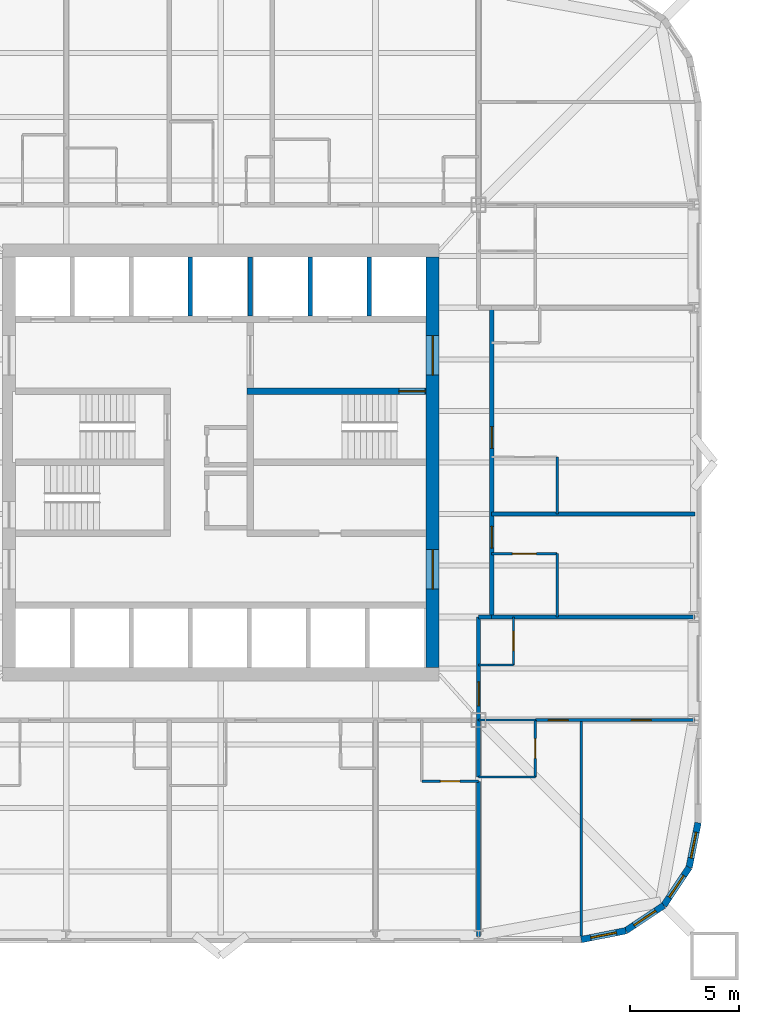
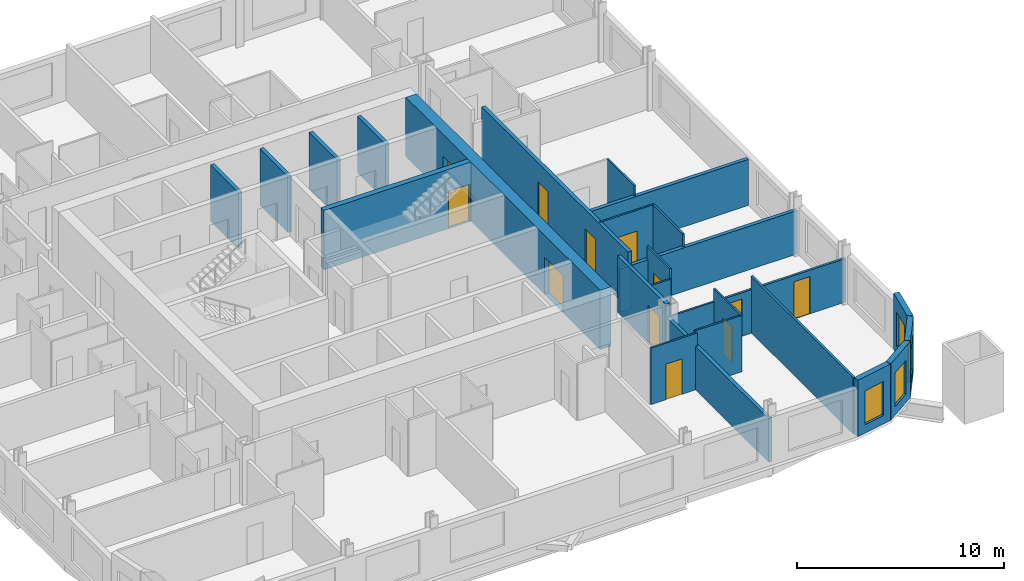
# One storey, part 5 of 9: 28 walls, 12 doors, 4 windows, 16 openings.
"""IFC4 building model written with IfcOpenShell, lengths in metres."""

from ifc_helpers import new_model, si_unit, direction, frame, frame_2d, origin, place, context, subcontext, project, spatial, rectangle, extrude, material, layer, layer_set, type_object, element, fill, save


model = new_model("IFC4")

# Units and contexts
model_context = context("Model", 3, precision=1e-05, world=origin(), true_north=direction((0.0, 1.0)))
body_context = subcontext(model_context, "Body", "Model", "MODEL_VIEW")
ifc_project = project(units=[si_unit("LENGTHUNIT", "METRE"), si_unit("AREAUNIT", "SQUARE_METRE"), si_unit("VOLUMEUNIT", "CUBIC_METRE"), si_unit("PLANEANGLEUNIT", "RADIAN"), si_unit("MASSUNIT", "GRAM", prefix="KILO")], contexts=[model_context])

# Site, building, storey
site_placement = place(None, origin())
site = spatial("IfcSite", under=ifc_project, at=site_placement, CompositionType="ELEMENT")
building_placement = place(site_placement, origin())
building = spatial("IfcBuilding", under=site, at=building_placement, Name="Turquesa Mirador Hotel Tower", CompositionType="ELEMENT")
storey_placement = place(building_placement, frame((0.0, 0.0, 56.5)))
storey = spatial("IfcBuildingStorey", under=building, at=storey_placement, Name="L14", CompositionType="ELEMENT", Elevation=56.5)

# Walls
ifc_material_1 = material(Name="Gypsum board on steel studs", Category="steel")
ifc_layer_1 = layer(ifc_material_1, 0.10009765625)
ifc_layer_set_1 = layer_set([ifc_layer_1], Name="BATHROOM WALL 100")
wall_type_1 = type_object("IfcWallType", Name="BATHROOM WALL 100", PredefinedType="PARTITIONING", material=ifc_layer_set_1)
wall_1_placement = place(storey_placement, frame((66.800048828125, 33.199951171875, 0.0), z_axis=(0.0, 0.0, 1.0), x_axis=(1.0, 0.0, 0.0)))
element("IfcWall", 1, at=wall_1_placement, inside=storey, type_object=wall_type_1, Name="Partition L14 002", PredefinedType="PARTITIONING", context=body_context, shape_type="SweptSolid", body=[
    extrude(rectangle(XDim=2.599853515625, YDim=0.10009765625, at=frame_2d((1.2998046875, 0.0))), origin(), (0.0, 0.0, 1.0), 2.572998046875),
])
wall_2_placement = place(storey_placement, frame((66.800048828125, 30.60009765625, 0.0), z_axis=(0.0, 0.0, 1.0), x_axis=(1.0, 0.0, 0.0)))
element("IfcWall", 2, at=wall_2_placement, inside=storey, type_object=wall_type_1, Name="Partition L14 008", PredefinedType="PARTITIONING", context=body_context, shape_type="SweptSolid", body=[
    extrude(rectangle(XDim=2.599853515625, YDim=0.10009765625, at=frame_2d((1.2998046875, 0.0))), origin(), (0.0, 0.0, 1.0), 3.330078125),
])

# Wall, opening, door
wall_3_placement = place(storey_placement, frame((64.199951171875, 30.39990234375, 0.0), z_axis=(0.0, 0.0, 1.0), x_axis=(1.0, 0.0, 0.0)))
wall_3 = element("IfcWall", 3, at=wall_3_placement, inside=storey, type_object=wall_type_1, Name="Partition L14 009", PredefinedType="PARTITIONING", context=body_context, shape_type="SweptSolid", body=[
    extrude(rectangle(XDim=2.60009765625, YDim=0.10009765625, at=frame_2d((1.300048828125, 0.0))), origin(), (0.0, 0.0, 1.0), 3.330078125),
])
opening_1_placement = place(wall_3_placement, frame((0.85009765625, 0.0, 0.0)))
opening_1 = element("IfcOpeningElement", 4, at=opening_1_placement, cuts=wall_3, Name="Opening D02", PredefinedType="OPENING", context=body_context, shape_type="SweptSolid", body=[
    extrude(rectangle(XDim=0.89990234375, YDim=2.10009765625, at=frame_2d((0.449951171875, 1.050048828125))), frame((0.0, 0.06005859375, 0.0), z_axis=(0.0, -1.0, 0.0), x_axis=(1.0, 0.0, 0.0)), (0.0, 0.0, 1.0), 0.1201171875),
])
ifc_material_2 = material(Name="Timber veneered door", Category="wood")
door_type_1 = type_object("IfcDoorType", Name="DOOR 900X2100 EN-SUITE", OperationType="SINGLE_SWING_RIGHT", PredefinedType="DOOR", material=ifc_material_2)
door_1_placement = place(opening_1_placement, origin())
door_1 = element("IfcDoor", 5, at=door_1_placement, inside=storey, type_object=door_type_1, Name="Door 1407B", OperationType="SINGLE_SWING_RIGHT", OverallHeight=2.10009765625, OverallWidth=0.89990234375, PredefinedType="DOOR", context=body_context, shape_type="SweptSolid", body=[
    extrude(rectangle(XDim=0.89990234375, YDim=2.10009765625, at=frame_2d((0.449951171875, 1.050048828125))), frame((0.0, 0.02490234375, 0.0), z_axis=(0.0, -1.0, 0.0), x_axis=(1.0, 0.0, 0.0)), (0.0, 0.0, 1.0), 0.050048828125),
])
fill(opening_1, door_1)

wall_4_placement = place(storey_placement, frame((67.39990234375, 40.820068359375, 0.0), z_axis=(0.0, 0.0, 1.0), x_axis=(1.0, 0.0, 0.0)))
wall_4 = element("IfcWall", 6, at=wall_4_placement, inside=storey, type_object=wall_type_1, Name="Partition L14 015", PredefinedType="PARTITIONING", context=body_context, shape_type="SweptSolid", body=[
    extrude(rectangle(XDim=3.0, YDim=0.10009765625, at=frame_2d((1.5, 0.0))), origin(), (0.0, 0.0, 1.0), 3.330078125),
])
opening_2_placement = place(wall_4_placement, frame((0.949951171875, 0.0, 0.0)))
opening_2 = element("IfcOpeningElement", 7, at=opening_2_placement, cuts=wall_4, Name="Opening D16", PredefinedType="OPENING", context=body_context, shape_type="SweptSolid", body=[
    extrude(rectangle(XDim=1.10009765625, YDim=2.10009765625, at=frame_2d((0.550048828125, 1.050048828125))), frame((0.0, 0.06005859375, 0.0), z_axis=(0.0, -1.0, 0.0), x_axis=(1.0, 0.0, 0.0)), (0.0, 0.0, 1.0), 0.1201171875),
])
ifc_material_3 = material(Name="Timber veneered sliding door", Category="wood")
door_type_2 = type_object("IfcDoorType", Name="DOOR 1100X2100 ACCESSIBLE EN-SUITE", OperationType="SLIDING_TO_LEFT", PredefinedType="DOOR", material=ifc_material_3)
door_2_placement = place(opening_2_placement, origin())
door_2 = element("IfcDoor", 8, at=door_2_placement, inside=storey, type_object=door_type_2, Name="Door 1408B", OperationType="SLIDING_TO_LEFT", OverallHeight=2.10009765625, OverallWidth=1.10009765625, PredefinedType="DOOR", context=body_context, shape_type="SweptSolid", body=[
    extrude(rectangle(XDim=1.10009765625, YDim=2.10009765625, at=frame_2d((0.550048828125, 1.050048828125))), frame((0.0, 0.02490234375, 0.0), z_axis=(0.0, -1.0, 0.0), x_axis=(1.0, 0.0, 0.0)), (0.0, 0.0, 1.0), 0.050048828125),
])
fill(opening_2, door_2)

# Wall
wall_5_placement = place(storey_placement, frame((66.800048828125, 35.719970703125, 0.0), z_axis=(0.0, 0.0, 1.0), x_axis=(1.0, 0.0, 0.0)))
element("IfcWall", 9, at=wall_5_placement, inside=storey, type_object=wall_type_1, Name="Partition L14 021", PredefinedType="PARTITIONING", context=body_context, shape_type="SweptSolid", body=[
    extrude(rectangle(XDim=1.599853515625, YDim=0.10009765625, at=frame_2d((0.7998046875, 0.0))), origin(), (0.0, 0.0, 1.0), 2.722900390625),
])

# Wall, opening, door
wall_6_placement = place(storey_placement, frame((68.39990234375, 35.719970703125, 0.0), z_axis=(0.0, 0.0, 1.0), x_axis=(0.0, 1.0, 0.0)))
wall_6 = element("IfcWall", 10, at=wall_6_placement, inside=storey, type_object=wall_type_1, Name="Partition L14 080", PredefinedType="PARTITIONING", context=body_context, shape_type="SweptSolid", body=[
    extrude(rectangle(XDim=2.199951171875, YDim=0.10009765625, at=frame_2d((1.10009765625, 0.0))), origin(), (0.0, 0.0, 1.0), 3.330078125),
])
opening_3_placement = place(wall_6_placement, frame((0.64990234375, 0.0, 0.0)))
opening_3 = element("IfcOpeningElement", 11, at=opening_3_placement, cuts=wall_6, Name="Opening D06", PredefinedType="OPENING", context=body_context, shape_type="SweptSolid", body=[
    extrude(rectangle(XDim=0.89990234375, YDim=2.10009765625, at=frame_2d((0.449951171875, 1.050048828125))), frame((0.0, 0.06005859375, 0.0), z_axis=(0.0, -1.0, 0.0), x_axis=(1.0, 0.0, 0.0)), (0.0, 0.0, 1.0), 0.1201171875),
])
ifc_material_4 = material(Name="Laminate door", Category="wood")
door_type_3 = type_object("IfcDoorType", Name="DOOR 900X2100 WC", OperationType="SINGLE_SWING_LEFT", PredefinedType="DOOR", material=ifc_material_4)
door_3_placement = place(opening_3_placement, origin())
door_3 = element("IfcDoor", 12, at=door_3_placement, inside=storey, type_object=door_type_3, Name="Door 1416W", OperationType="SINGLE_SWING_LEFT", OverallHeight=2.10009765625, OverallWidth=0.89990234375, PredefinedType="DOOR", context=body_context, shape_type="SweptSolid", body=[
    extrude(rectangle(XDim=0.89990234375, YDim=2.10009765625, at=frame_2d((0.449951171875, 1.050048828125))), frame((0.0, 0.02490234375, 0.0), z_axis=(0.0, -1.0, 0.0), x_axis=(1.0, 0.0, 0.0)), (0.0, 0.0, 1.0), 0.050048828125),
])
fill(opening_3, door_3)

wall_7_placement = place(storey_placement, frame((69.39990234375, 30.60009765625, 0.0), z_axis=(0.0, 0.0, 1.0), x_axis=(0.0, 1.0, 0.0)))
wall_7 = element("IfcWall", 13, at=wall_7_placement, inside=storey, type_object=wall_type_1, Name="Partition L14 081", PredefinedType="PARTITIONING", context=body_context, shape_type="SweptSolid", body=[
    extrude(rectangle(XDim=2.599853515625, YDim=0.10009765625, at=frame_2d((1.2998046875, 0.0))), origin(), (0.0, 0.0, 1.0), 3.330078125),
])
opening_4_placement = place(wall_7_placement, frame((0.85009765625, 0.0, 0.0)))
opening_4 = element("IfcOpeningElement", 14, at=opening_4_placement, cuts=wall_7, Name="Opening D02", PredefinedType="OPENING", context=body_context, shape_type="SweptSolid", body=[
    extrude(rectangle(XDim=0.89990234375, YDim=2.10009765625, at=frame_2d((0.449951171875, 1.050048828125))), frame((0.0, 0.06005859375, 0.0), z_axis=(0.0, -1.0, 0.0), x_axis=(1.0, 0.0, 0.0)), (0.0, 0.0, 1.0), 0.1201171875),
])
door_4_placement = place(opening_4_placement, origin())
door_4 = element("IfcDoor", 15, at=door_4_placement, inside=storey, type_object=door_type_1, Name="Door 1416B", OperationType="SINGLE_SWING_RIGHT", OverallHeight=2.10009765625, OverallWidth=0.89990234375, PredefinedType="DOOR", context=body_context, shape_type="SweptSolid", body=[
    extrude(rectangle(XDim=0.89990234375, YDim=2.10009765625, at=frame_2d((0.449951171875, 1.050048828125))), frame((0.0, 0.02490234375, 0.0), z_axis=(0.0, -1.0, 0.0), x_axis=(1.0, 0.0, 0.0)), (0.0, 0.0, 1.0), 0.050048828125),
])
fill(opening_4, door_4)

# Walls
wall_8_placement = place(storey_placement, frame((70.39990234375, 37.919921875, 0.0), z_axis=(0.0, 0.0, 1.0), x_axis=(0.0, 1.0, 0.0)))
element("IfcWall", 16, at=wall_8_placement, inside=storey, type_object=wall_type_1, Name="Partition L14 085", PredefinedType="PARTITIONING", context=body_context, shape_type="SweptSolid", body=[
    extrude(rectangle(XDim=2.900146484375, YDim=0.10009765625, at=frame_2d((1.4501953125, 0.0))), origin(), (0.0, 0.0, 1.0), 3.330078125),
])
wall_9_placement = place(storey_placement, frame((70.39990234375, 42.639892578125, 0.0), z_axis=(0.0, 0.0, 1.0), x_axis=(0.0, 1.0, 0.0)))
element("IfcWall", 17, at=wall_9_placement, inside=storey, type_object=wall_type_1, Name="Partition L14 086", PredefinedType="PARTITIONING", context=body_context, shape_type="SweptSolid", body=[
    extrude(rectangle(XDim=2.60009765625, YDim=0.10009765625, at=frame_2d((1.300048828125, 0.0))), origin(), (0.0, 0.0, 1.0), 3.330078125),
])

# Wall, opening, door
ifc_material_5 = material(Name="Concrete C50/60", Category="concrete")
ifc_layer_2 = layer(ifc_material_5, 0.300048828125)
ifc_layer_set_2 = layer_set([ifc_layer_2], Name="CORE INNER WALL 300")
wall_type_2 = type_object("IfcWallType", Name="CORE INNER WALL 300", PredefinedType="SHEAR", material=ifc_layer_set_2)
wall_10_placement = place(storey_placement, frame((56.199951171875, 48.25, 0.0), z_axis=(0.0, 0.0, 1.0), x_axis=(1.0, 0.0, 0.0)))
wall_10 = element("IfcWall", 18, at=wall_10_placement, inside=storey, type_object=wall_type_2, Name="Core wall MN-E", PredefinedType="SHEAR", context=body_context, shape_type="SweptSolid", body=[
    extrude(rectangle(XDim=8.199951171875, YDim=0.300048828125, at=frame_2d((4.10009765625, 0.0))), origin(), (0.0, 0.0, 1.0), 3.5),
])
opening_5_placement = place(wall_10_placement, frame((6.949951171875, 0.0, 0.0)))
opening_5 = element("IfcOpeningElement", 19, at=opening_5_placement, cuts=wall_10, Name="Opening D03", PredefinedType="OPENING", context=body_context, shape_type="SweptSolid", body=[
    extrude(rectangle(XDim=1.199951171875, YDim=2.199951171875, at=frame_2d((0.60009765625, 1.10009765625))), frame((0.0, 0.159912109375, 0.0), z_axis=(0.0, -1.0, 0.0), x_axis=(1.0, 0.0, 0.0)), (0.0, 0.0, 1.0), 0.320068359375),
])
ifc_material_6 = material(Name="Steel fire door", Category="steel")
door_type_4 = type_object("IfcDoorType", Name="DOOR 1200X2200 STAIR", OperationType="SINGLE_SWING_LEFT", PredefinedType="DOOR", material=ifc_material_6)
door_5_placement = place(opening_5_placement, origin())
door_5 = element("IfcDoor", 20, at=door_5_placement, inside=storey, type_object=door_type_4, Name="Stair ST3 door", OperationType="SINGLE_SWING_LEFT", OverallHeight=2.199951171875, OverallWidth=1.199951171875, PredefinedType="DOOR", context=body_context, shape_type="SweptSolid", body=[
    extrude(rectangle(XDim=1.199951171875, YDim=2.199951171875, at=frame_2d((0.60009765625, 1.10009765625))), frame((0.0, 0.02490234375, 0.0), z_axis=(0.0, -1.0, 0.0), x_axis=(1.0, 0.0, 0.0)), (0.0, 0.0, 1.0), 0.050048828125),
])
fill(opening_5, door_5)

# Wall, openings, doors
ifc_material_7 = material(Name="Concrete C50/60", Category="concrete")
ifc_layer_3 = layer(ifc_material_7, 0.60009765625)
ifc_layer_set_3 = layer_set([ifc_layer_3], Name="CORE WALL 600")
wall_type_3 = type_object("IfcWallType", Name="CORE WALL 600", PredefinedType="SHEAR", material=ifc_layer_set_3)
wall_11_placement = place(storey_placement, frame((64.699951171875, 35.60009765625, 0.0), z_axis=(0.0, 0.0, 1.0), x_axis=(0.0, 1.0, 0.0)))
wall_11 = element("IfcWall", 21, at=wall_11_placement, inside=storey, type_object=wall_type_3, Name="Core wall E", PredefinedType="SHEAR", context=body_context, shape_type="SweptSolid", body=[
    extrude(rectangle(XDim=18.7998046875, YDim=0.60009765625, at=frame_2d((9.39990234375, 0.0))), origin(), (0.0, 0.0, 1.0), 3.5),
])
opening_6_placement = place(wall_11_placement, frame((13.39990234375, 0.0, 0.0)))
opening_6 = element("IfcOpeningElement", 22, at=opening_6_placement, cuts=wall_11, Name="Opening D04", PredefinedType="OPENING", context=body_context, shape_type="SweptSolid", body=[
    extrude(rectangle(XDim=1.800048828125, YDim=2.199951171875, at=frame_2d((0.89990234375, 1.10009765625))), frame((0.0, 0.31005859375, 0.0), z_axis=(0.0, -1.0, 0.0), x_axis=(1.0, 0.0, 0.0)), (0.0, 0.0, 1.0), 0.6201171875),
])
opening_7_placement = place(wall_11_placement, frame((3.60009765625, 0.0, 0.0)))
opening_7 = element("IfcOpeningElement", 23, at=opening_7_placement, cuts=wall_11, Name="Opening D04", PredefinedType="OPENING", context=body_context, shape_type="SweptSolid", body=[
    extrude(rectangle(XDim=1.800048828125, YDim=2.199951171875, at=frame_2d((0.89990234375, 1.10009765625))), frame((0.0, 0.31005859375, 0.0), z_axis=(0.0, -1.0, 0.0), x_axis=(1.0, 0.0, 0.0)), (0.0, 0.0, 1.0), 0.6201171875),
])
ifc_material_8 = material(Name="Steel fire door pair", Category="steel")
door_type_5 = type_object("IfcDoorType", Name="DOOR 1800X2200 PAIR", OperationType="DOUBLE_DOOR_SINGLE_SWING", PredefinedType="DOOR", material=ifc_material_8)
door_6_placement = place(opening_6_placement, origin())
door_6 = element("IfcDoor", 24, at=door_6_placement, inside=storey, type_object=door_type_5, Name="Firefighting lobby door", OperationType="DOUBLE_DOOR_SINGLE_SWING", OverallHeight=2.199951171875, OverallWidth=1.800048828125, PredefinedType="DOOR", context=body_context, shape_type="SweptSolid", body=[
    extrude(rectangle(XDim=1.800048828125, YDim=2.199951171875, at=frame_2d((0.89990234375, 1.10009765625))), frame((0.0, 0.02490234375, 0.0), z_axis=(0.0, -1.0, 0.0), x_axis=(1.0, 0.0, 0.0)), (0.0, 0.0, 1.0), 0.050048828125),
])
fill(opening_6, door_6)
door_7_placement = place(opening_7_placement, origin())
door_7 = element("IfcDoor", 25, at=door_7_placement, inside=storey, type_object=door_type_5, Name="South lift lobby door", OperationType="DOUBLE_DOOR_SINGLE_SWING", OverallHeight=2.199951171875, OverallWidth=1.800048828125, PredefinedType="DOOR", context=body_context, shape_type="SweptSolid", body=[
    extrude(rectangle(XDim=1.800048828125, YDim=2.199951171875, at=frame_2d((0.89990234375, 1.10009765625))), frame((0.0, 0.02490234375, 0.0), z_axis=(0.0, -1.0, 0.0), x_axis=(1.0, 0.0, 0.0)), (0.0, 0.0, 1.0), 0.050048828125),
])
fill(opening_7, door_7)

# Wall
ifc_material_9 = material(Name="Fire-rated gypsum board on steel studs", Category="steel")
ifc_layer_4 = layer(ifc_material_9, 0.199951171875)
ifc_layer_set_4 = layer_set([ifc_layer_4], Name="CORRIDOR WALL 200")
wall_type_4 = type_object("IfcWallType", Name="CORRIDOR WALL 200", PredefinedType="PARTITIONING", material=ifc_layer_set_4)
wall_12_placement = place(storey_placement, frame((66.800048828125, 37.919921875, 0.0), z_axis=(0.0, 0.0, 1.0), x_axis=(1.0, 0.0, 0.0)))
element("IfcWall", 26, at=wall_12_placement, inside=storey, type_object=wall_type_4, Name="Partition L14 018", PredefinedType="PARTITIONING", context=body_context, shape_type="SweptSolid", body=[
    extrude(rectangle(XDim=0.599853515625, YDim=0.199951171875, at=frame_2d((0.2998046875, 0.0))), origin(), (0.0, 0.0, 1.0), 2.572998046875),
])

# Wall, opening, door
wall_13_placement = place(storey_placement, frame((66.800048828125, 33.199951171875, 0.0), z_axis=(0.0, 0.0, 1.0), x_axis=(0.0, 1.0, 0.0)))
wall_13 = element("IfcWall", 27, at=wall_13_placement, inside=storey, type_object=wall_type_4, Name="Partition L14 074", PredefinedType="PARTITIONING", context=body_context, shape_type="SweptSolid", body=[
    extrude(rectangle(XDim=4.719970703125, YDim=0.199951171875, at=frame_2d((2.35986328125, 0.0))), origin(), (0.0, 0.0, 1.0), 3.330078125),
])
opening_8_placement = place(wall_13_placement, frame((0.64990234375, 0.0, 0.0)))
opening_8 = element("IfcOpeningElement", 28, at=opening_8_placement, cuts=wall_13, Name="Opening D15", PredefinedType="OPENING", context=body_context, shape_type="SweptSolid", body=[
    extrude(rectangle(XDim=1.10009765625, YDim=2.199951171875, at=frame_2d((0.550048828125, 1.10009765625))), frame((0.0, 0.10986328125, 0.0), z_axis=(0.0, -1.0, 0.0), x_axis=(1.0, 0.0, 0.0)), (0.0, 0.0, 1.0), 0.219970703125),
])
ifc_material_10 = material(Name="Timber veneered fire door", Category="wood")
door_type_6 = type_object("IfcDoorType", Name="DOOR 1100X2200 SUITE ENTRY", OperationType="SINGLE_SWING_LEFT", PredefinedType="DOOR", material=ifc_material_10)
door_8_placement = place(opening_8_placement, origin())
door_8 = element("IfcDoor", 29, at=door_8_placement, inside=storey, type_object=door_type_6, Name="Door 1416", OperationType="SINGLE_SWING_LEFT", OverallHeight=2.199951171875, OverallWidth=1.10009765625, PredefinedType="DOOR", context=body_context, shape_type="SweptSolid", body=[
    extrude(rectangle(XDim=1.10009765625, YDim=2.199951171875, at=frame_2d((0.550048828125, 1.10009765625))), frame((0.0, 0.02490234375, 0.0), z_axis=(0.0, -1.0, 0.0), x_axis=(1.0, 0.0, 0.0)), (0.0, 0.0, 1.0), 0.050048828125),
])
fill(opening_8, door_8)

# Wall, openings, doors
wall_14_placement = place(storey_placement, frame((67.39990234375, 37.919921875, 0.0), z_axis=(0.0, 0.0, 1.0), x_axis=(0.0, 1.0, 0.0)))
wall_14 = element("IfcWall", 30, at=wall_14_placement, inside=storey, type_object=wall_type_4, Name="Partition L14 079", PredefinedType="PARTITIONING", context=body_context, shape_type="SweptSolid", body=[
    extrude(rectangle(XDim=14.16015625, YDim=0.199951171875, at=frame_2d((7.080078125, 0.0))), origin(), (0.0, 0.0, 1.0), 3.330078125),
])
opening_9_placement = place(wall_14_placement, frame((3.14990234375, 0.0, 0.0)))
opening_9 = element("IfcOpeningElement", 31, at=opening_9_placement, cuts=wall_14, Name="Opening D01", PredefinedType="OPENING", context=body_context, shape_type="SweptSolid", body=[
    extrude(rectangle(XDim=1.0, YDim=2.199951171875, at=frame_2d((0.5, 1.10009765625))), frame((0.0, 0.10986328125, 0.0), z_axis=(0.0, -1.0, 0.0), x_axis=(1.0, 0.0, 0.0)), (0.0, 0.0, 1.0), 0.219970703125),
])
opening_10_placement = place(wall_14_placement, frame((7.719970703125, 0.0, 0.0)))
opening_10 = element("IfcOpeningElement", 32, at=opening_10_placement, cuts=wall_14, Name="Opening D01", PredefinedType="OPENING", context=body_context, shape_type="SweptSolid", body=[
    extrude(rectangle(XDim=1.0, YDim=2.199951171875, at=frame_2d((0.5, 1.10009765625))), frame((0.0, 0.10986328125, 0.0), z_axis=(0.0, -1.0, 0.0), x_axis=(1.0, 0.0, 0.0)), (0.0, 0.0, 1.0), 0.219970703125),
])
ifc_material_11 = material(Name="Timber veneered fire door", Category="wood")
door_type_7 = type_object("IfcDoorType", Name="DOOR 1000X2200 GUEST ENTRY", OperationType="SINGLE_SWING_LEFT", PredefinedType="DOOR", material=ifc_material_11)
door_9_placement = place(opening_9_placement, origin())
door_9 = element("IfcDoor", 33, at=door_9_placement, inside=storey, type_object=door_type_7, Name="Door 1408", OperationType="SINGLE_SWING_LEFT", OverallHeight=2.199951171875, OverallWidth=1.0, PredefinedType="DOOR", context=body_context, shape_type="SweptSolid", body=[
    extrude(rectangle(XDim=1.0, YDim=2.199951171875, at=frame_2d((0.5, 1.10009765625))), frame((0.0, 0.02490234375, 0.0), z_axis=(0.0, -1.0, 0.0), x_axis=(1.0, 0.0, 0.0)), (0.0, 0.0, 1.0), 0.050048828125),
])
fill(opening_9, door_9)
door_10_placement = place(opening_10_placement, origin())
door_10 = element("IfcDoor", 34, at=door_10_placement, inside=storey, type_object=door_type_7, Name="Door 1409", OperationType="SINGLE_SWING_LEFT", OverallHeight=2.199951171875, OverallWidth=1.0, PredefinedType="DOOR", context=body_context, shape_type="SweptSolid", body=[
    extrude(rectangle(XDim=1.0, YDim=2.199951171875, at=frame_2d((0.5, 1.10009765625))), frame((0.0, 0.02490234375, 0.0), z_axis=(0.0, -1.0, 0.0), x_axis=(1.0, 0.0, 0.0)), (0.0, 0.0, 1.0), 0.050048828125),
])
fill(opening_10, door_10)

# Wall, opening, window
ifc_material_12 = material(Name="Limestone cladding on concrete block", Category="masonry")
ifc_layer_5 = layer(ifc_material_12, 0.300048828125)
ifc_layer_set_5 = layer_set([ifc_layer_5], Name="FACADE WALL 300 STONE SCREEN")
wall_type_5 = type_object("IfcWallType", Name="FACADE WALL 300 STONE SCREEN", PredefinedType="SOLIDWALL", material=ifc_layer_set_5)
wall_15_placement = place(storey_placement, frame((71.5, 23.14990234375, 0.0), z_axis=(0.0, 0.0, 1.0), x_axis=(0.980787050784, 0.195081421501, 0.0)))
wall_15 = element("IfcWall", 35, at=wall_15_placement, inside=storey, type_object=wall_type_5, Name="Facade wall L14 00", PredefinedType="SOLIDWALL", context=body_context, shape_type="SweptSolid", body=[
    extrude(rectangle(XDim=2.08740234375, YDim=0.300048828125, at=frame_2d((1.043701171875, 0.0))), origin(), (0.0, 0.0, 1.0), 3.330078125),
])
opening_11_placement = place(wall_15_placement, frame((0.443603515625, 0.0, 0.5)))
opening_11 = element("IfcOpeningElement", 36, at=opening_11_placement, cuts=wall_15, Name="Opening WN4", PredefinedType="OPENING", context=body_context, shape_type="SweptSolid", body=[
    extrude(rectangle(XDim=1.199951171875, YDim=2.0, at=frame_2d((0.60009765625, 1.0))), frame((0.0, 0.159912109375, 0.0), z_axis=(0.0, -1.0, 0.0), x_axis=(1.0, 0.0, 0.0)), (0.0, 0.0, 1.0), 0.320068359375),
])
ifc_material_13 = material(Name="Ceramic-fritted laminated glass", Category="glass")
window_type = type_object("IfcWindowType", Name="FRITTED CORNER WINDOW 1200X2000", PartitioningType="DOUBLE_PANEL_HORIZONTAL", PredefinedType="WINDOW", material=ifc_material_13)
window_1_placement = place(opening_11_placement, origin())
window_1 = element("IfcWindow", 37, at=window_1_placement, inside=storey, type_object=window_type, Name="Window L14", OverallHeight=2.0, OverallWidth=1.199951171875, PartitioningType="SINGLE_PANEL", PredefinedType="WINDOW", context=body_context, shape_type="SweptSolid", body=[
    extrude(rectangle(XDim=1.199951171875, YDim=2.0, at=frame_2d((0.60009765625, 1.0))), frame((0.0, 0.030029296875, 0.0), z_axis=(0.0, -1.0, 0.0), x_axis=(1.0, 0.0, 0.0)), (0.0, 0.0, 1.0), 0.06005859375),
])
fill(opening_11, window_1)

wall_16_placement = place(storey_placement, frame((73.54736328125, 23.55712890625, 0.0), z_axis=(0.0, 0.0, 1.0), x_axis=(0.831420010345, 0.555644460423, 0.0)))
wall_16 = element("IfcWall", 38, at=wall_16_placement, inside=storey, type_object=wall_type_5, Name="Facade wall L14 01", PredefinedType="SOLIDWALL", context=body_context, shape_type="SweptSolid", body=[
    extrude(rectangle(XDim=2.08740234375, YDim=0.300048828125, at=frame_2d((1.043701171875, 0.0))), origin(), (0.0, 0.0, 1.0), 3.330078125),
])
opening_12_placement = place(wall_16_placement, frame((0.443603515625, 0.0, 0.5)))
opening_12 = element("IfcOpeningElement", 39, at=opening_12_placement, cuts=wall_16, Name="Opening WN4", PredefinedType="OPENING", context=body_context, shape_type="SweptSolid", body=[
    extrude(rectangle(XDim=1.199951171875, YDim=2.0, at=frame_2d((0.60009765625, 1.0))), frame((0.0, 0.159912109375, 0.0), z_axis=(0.0, -1.0, 0.0), x_axis=(1.0, 0.0, 0.0)), (0.0, 0.0, 1.0), 0.320068359375),
])
window_2_placement = place(opening_12_placement, origin())
window_2 = element("IfcWindow", 40, at=window_2_placement, inside=storey, type_object=window_type, Name="Window L14", OverallHeight=2.0, OverallWidth=1.199951171875, PartitioningType="SINGLE_PANEL", PredefinedType="WINDOW", context=body_context, shape_type="SweptSolid", body=[
    extrude(rectangle(XDim=1.199951171875, YDim=2.0, at=frame_2d((0.60009765625, 1.0))), frame((0.0, 0.030029296875, 0.0), z_axis=(0.0, -1.0, 0.0), x_axis=(1.0, 0.0, 0.0)), (0.0, 0.0, 1.0), 0.06005859375),
])
fill(opening_12, window_2)

wall_17_placement = place(storey_placement, frame((75.282958984375, 24.717041015625, 0.0), z_axis=(0.0, 0.0, 1.0), x_axis=(0.555644460423, 0.831420010345, 0.0)))
wall_17 = element("IfcWall", 41, at=wall_17_placement, inside=storey, type_object=wall_type_5, Name="Facade wall L14 02", PredefinedType="SOLIDWALL", context=body_context, shape_type="SweptSolid", body=[
    extrude(rectangle(XDim=2.08740234375, YDim=0.300048828125, at=frame_2d((1.043701171875, 0.0))), origin(), (0.0, 0.0, 1.0), 3.330078125),
])
opening_13_placement = place(wall_17_placement, frame((0.443603515625, 0.0, 0.5)))
opening_13 = element("IfcOpeningElement", 42, at=opening_13_placement, cuts=wall_17, Name="Opening WN4", PredefinedType="OPENING", context=body_context, shape_type="SweptSolid", body=[
    extrude(rectangle(XDim=1.199951171875, YDim=2.0, at=frame_2d((0.60009765625, 1.0))), frame((0.0, 0.159912109375, 0.0), z_axis=(0.0, -1.0, 0.0), x_axis=(1.0, 0.0, 0.0)), (0.0, 0.0, 1.0), 0.320068359375),
])
window_3_placement = place(opening_13_placement, origin())
window_3 = element("IfcWindow", 43, at=window_3_placement, inside=storey, type_object=window_type, Name="Window L14", OverallHeight=2.0, OverallWidth=1.199951171875, PartitioningType="SINGLE_PANEL", PredefinedType="WINDOW", context=body_context, shape_type="SweptSolid", body=[
    extrude(rectangle(XDim=1.199951171875, YDim=2.0, at=frame_2d((0.60009765625, 1.0))), frame((0.0, 0.030029296875, 0.0), z_axis=(0.0, -1.0, 0.0), x_axis=(1.0, 0.0, 0.0)), (0.0, 0.0, 1.0), 0.06005859375),
])
fill(opening_13, window_3)

wall_18_placement = place(storey_placement, frame((76.44287109375, 26.45263671875, 0.0), z_axis=(0.0, 0.0, 1.0), x_axis=(0.195081421501, 0.980787050784, 0.0)))
wall_18 = element("IfcWall", 44, at=wall_18_placement, inside=storey, type_object=wall_type_5, Name="Facade wall L14 03", PredefinedType="SOLIDWALL", context=body_context, shape_type="SweptSolid", body=[
    extrude(rectangle(XDim=2.08740234375, YDim=0.300048828125, at=frame_2d((1.043701171875, 0.0))), origin(), (0.0, 0.0, 1.0), 3.330078125),
])
opening_14_placement = place(wall_18_placement, frame((0.443603515625, 0.0, 0.5)))
opening_14 = element("IfcOpeningElement", 45, at=opening_14_placement, cuts=wall_18, Name="Opening WN4", PredefinedType="OPENING", context=body_context, shape_type="SweptSolid", body=[
    extrude(rectangle(XDim=1.199951171875, YDim=2.0, at=frame_2d((0.60009765625, 1.0))), frame((0.0, 0.159912109375, 0.0), z_axis=(0.0, -1.0, 0.0), x_axis=(1.0, 0.0, 0.0)), (0.0, 0.0, 1.0), 0.320068359375),
])
window_4_placement = place(opening_14_placement, origin())
window_4 = element("IfcWindow", 46, at=window_4_placement, inside=storey, type_object=window_type, Name="Window L14", OverallHeight=2.0, OverallWidth=1.199951171875, PartitioningType="SINGLE_PANEL", PredefinedType="WINDOW", context=body_context, shape_type="SweptSolid", body=[
    extrude(rectangle(XDim=1.199951171875, YDim=2.0, at=frame_2d((0.60009765625, 1.0))), frame((0.0, 0.030029296875, 0.0), z_axis=(0.0, -1.0, 0.0), x_axis=(1.0, 0.0, 0.0)), (0.0, 0.0, 1.0), 0.06005859375),
])
fill(opening_14, window_4)

# Walls
ifc_material_14 = material(Name="Fire-rated gypsum shaft wall on steel studs", Category="steel")
ifc_layer_6 = layer(ifc_material_14, 0.199951171875)
ifc_layer_set_6 = layer_set([ifc_layer_6], Name="LIFT SHAFT DIVIDER 200")
wall_type_6 = type_object("IfcWallType", Name="LIFT SHAFT DIVIDER 200", PredefinedType="PARTITIONING", material=ifc_layer_set_6)
for number, where, z_axis, x_axis, name in (
    (47, (53.60009765625, 51.699951171875, 0.0), (0.0, 0.0, 1.0), (0.0, 1.0, 0.0), "Lift shaft divider"),
    (48, (59.10009765625, 51.699951171875, 0.0), (0.0, 0.0, 1.0), (0.0, 1.0, 0.0), "Lift shaft divider"),
    (49, (61.800048828125, 51.699951171875, 0.0), (0.0, 0.0, 1.0), (0.0, 1.0, 0.0), "Lift shaft divider"),
    (50, (56.35009765625, 51.699951171875, 0.0), (0.0, 0.0, 1.0), (0.0, 1.0, 0.0), "Lift shaft divider"),
):
    element("IfcWall", number, at=place(storey_placement, frame(where, z_axis=z_axis, x_axis=x_axis)), inside=storey, type_object=wall_type_6, Name=name, PredefinedType="PARTITIONING", context=body_context, shape_type="SweptSolid", body=[
        extrude(rectangle(XDim=2.699951171875, YDim=0.199951171875, at=frame_2d((1.35009765625, 0.0))), origin(), (0.0, 0.0, 1.0), 3.330078125),
    ])
ifc_material_15 = material(Name="Fire-rated gypsum board on steel studs", Category="steel")
ifc_layer_7 = layer(ifc_material_15, 0.199951171875)
ifc_layer_set_7 = layer_set([ifc_layer_7], Name="PARTY WALL 200")
wall_type_7 = type_object("IfcWallType", Name="PARTY WALL 200", PredefinedType="PARTITIONING", material=ifc_layer_set_7)
wall_19_placement = place(storey_placement, frame((67.39990234375, 42.639892578125, 0.0), z_axis=(0.0, 0.0, 1.0), x_axis=(1.0, 0.0, 0.0)))
element("IfcWall", 51, at=wall_19_placement, inside=storey, type_object=wall_type_7, Name="Partition L14 014", PredefinedType="PARTITIONING", context=body_context, shape_type="SweptSolid", body=[
    extrude(rectangle(XDim=9.300048828125, YDim=0.199951171875, at=frame_2d((4.64990234375, 0.0))), origin(), (0.0, 0.0, 1.0), 2.722900390625),
])
wall_20_placement = place(storey_placement, frame((67.39990234375, 37.919921875, 0.0), z_axis=(0.0, 0.0, 1.0), x_axis=(1.0, 0.0, 0.0)))
element("IfcWall", 52, at=wall_20_placement, inside=storey, type_object=wall_type_7, Name="Partition L14 020", PredefinedType="PARTITIONING", context=body_context, shape_type="SweptSolid", body=[
    extrude(rectangle(XDim=9.300048828125, YDim=0.199951171875, at=frame_2d((4.64990234375, 0.0))), origin(), (0.0, 0.0, 1.0), 2.572998046875),
])
wall_21_placement = place(storey_placement, frame((66.800048828125, 23.300048828125, 0.0), z_axis=(0.0, 0.0, 1.0), x_axis=(0.0, 1.0, 0.0)))
element("IfcWall", 53, at=wall_21_placement, inside=storey, type_object=wall_type_7, Name="Partition L14 076", PredefinedType="PARTITIONING", context=body_context, shape_type="SweptSolid", body=[
    extrude(rectangle(XDim=7.099853515625, YDim=0.199951171875, at=frame_2d((3.5498046875, 0.0))), origin(), (0.0, 0.0, 1.0), 2.572998046875),
])
wall_22_placement = place(storey_placement, frame((66.800048828125, 30.60009765625, 0.0), z_axis=(0.0, 0.0, 1.0), x_axis=(0.0, 1.0, 0.0)))
element("IfcWall", 54, at=wall_22_placement, inside=storey, type_object=wall_type_7, Name="Partition L14 077", PredefinedType="PARTITIONING", context=body_context, shape_type="SweptSolid", body=[
    extrude(rectangle(XDim=2.599853515625, YDim=0.199951171875, at=frame_2d((1.2998046875, 0.0))), origin(), (0.0, 0.0, 1.0), 2.572998046875),
])

# Wall, openings, doors
ifc_material_16 = material(Name="Acoustic gypsum board on steel studs", Category="steel")
ifc_layer_8 = layer(ifc_material_16, 0.125)
ifc_layer_set_8 = layer_set([ifc_layer_8], Name="SUITE PARTITION 125")
wall_type_8 = type_object("IfcWallType", Name="SUITE PARTITION 125", PredefinedType="PARTITIONING", material=ifc_layer_set_8)
wall_23_placement = place(storey_placement, frame((69.39990234375, 33.199951171875, 0.0), z_axis=(0.0, 0.0, 1.0), x_axis=(1.0, 0.0, 0.0)))
wall_23 = element("IfcWall", 55, at=wall_23_placement, inside=storey, type_object=wall_type_8, Name="Partition L14 005", PredefinedType="PARTITIONING", context=body_context, shape_type="SweptSolid", body=[
    extrude(rectangle(XDim=7.300048828125, YDim=0.125, at=frame_2d((3.64990234375, 0.0))), origin(), (0.0, 0.0, 1.0), 2.572998046875),
])
opening_15_placement = place(wall_23_placement, frame((0.60009765625, 0.0, 0.0)))
opening_15 = element("IfcOpeningElement", 56, at=opening_15_placement, cuts=wall_23, Name="Opening D17", PredefinedType="OPENING", context=body_context, shape_type="SweptSolid", body=[
    extrude(rectangle(XDim=0.89990234375, YDim=2.199951171875, at=frame_2d((0.449951171875, 1.10009765625))), frame((0.0, 0.072509765625, 0.0), z_axis=(0.0, -1.0, 0.0), x_axis=(1.0, 0.0, 0.0)), (0.0, 0.0, 1.0), 0.14501953125),
])
opening_16_placement = place(wall_23_placement, frame((4.39990234375, 0.0, 0.0)))
opening_16 = element("IfcOpeningElement", 57, at=opening_16_placement, cuts=wall_23, Name="Opening D17", PredefinedType="OPENING", context=body_context, shape_type="SweptSolid", body=[
    extrude(rectangle(XDim=0.89990234375, YDim=2.199951171875, at=frame_2d((0.449951171875, 1.10009765625))), frame((0.0, 0.072509765625, 0.0), z_axis=(0.0, -1.0, 0.0), x_axis=(1.0, 0.0, 0.0)), (0.0, 0.0, 1.0), 0.14501953125),
])
ifc_material_17 = material(Name="Timber veneered door", Category="wood")
door_type_8 = type_object("IfcDoorType", Name="DOOR 900X2200 SUITE INTERNAL", OperationType="SINGLE_SWING_LEFT", PredefinedType="DOOR", material=ifc_material_17)
door_11_placement = place(opening_15_placement, origin())
door_11 = element("IfcDoor", 58, at=door_11_placement, inside=storey, type_object=door_type_8, Name="Door 1416R", OperationType="SINGLE_SWING_LEFT", OverallHeight=2.199951171875, OverallWidth=0.89990234375, PredefinedType="DOOR", context=body_context, shape_type="SweptSolid", body=[
    extrude(rectangle(XDim=0.89990234375, YDim=2.199951171875, at=frame_2d((0.449951171875, 1.10009765625))), frame((0.0, 0.02490234375, 0.0), z_axis=(0.0, -1.0, 0.0), x_axis=(1.0, 0.0, 0.0)), (0.0, 0.0, 1.0), 0.050048828125),
])
fill(opening_15, door_11)
door_12_placement = place(opening_16_placement, origin())
door_12 = element("IfcDoor", 59, at=door_12_placement, inside=storey, type_object=door_type_8, Name="Door 1416S", OperationType="SINGLE_SWING_LEFT", OverallHeight=2.199951171875, OverallWidth=0.89990234375, PredefinedType="DOOR", context=body_context, shape_type="SweptSolid", body=[
    extrude(rectangle(XDim=0.89990234375, YDim=2.199951171875, at=frame_2d((0.449951171875, 1.10009765625))), frame((0.0, 0.02490234375, 0.0), z_axis=(0.0, -1.0, 0.0), x_axis=(1.0, 0.0, 0.0)), (0.0, 0.0, 1.0), 0.050048828125),
])
fill(opening_16, door_12)

# Wall
wall_24_placement = place(storey_placement, frame((71.5, 23.305908203125, 0.0), z_axis=(0.0, 0.0, 1.0), x_axis=(0.0, 1.0, 0.0)))
element("IfcWall", 60, at=wall_24_placement, inside=storey, type_object=wall_type_8, Name="Partition L14 087", PredefinedType="PARTITIONING", context=body_context, shape_type="SweptSolid", body=[
    extrude(rectangle(XDim=9.89404296875, YDim=0.125, at=frame_2d((4.947021484375, 0.0))), origin(), (0.0, 0.0, 1.0), 3.330078125),
])

save(model, "model.ifc")
